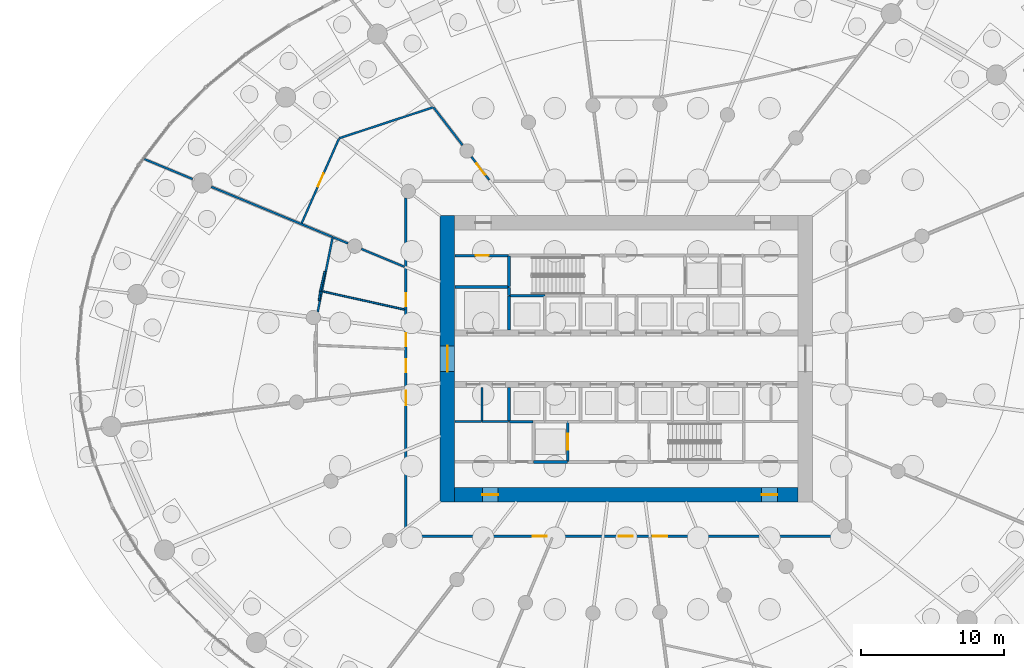
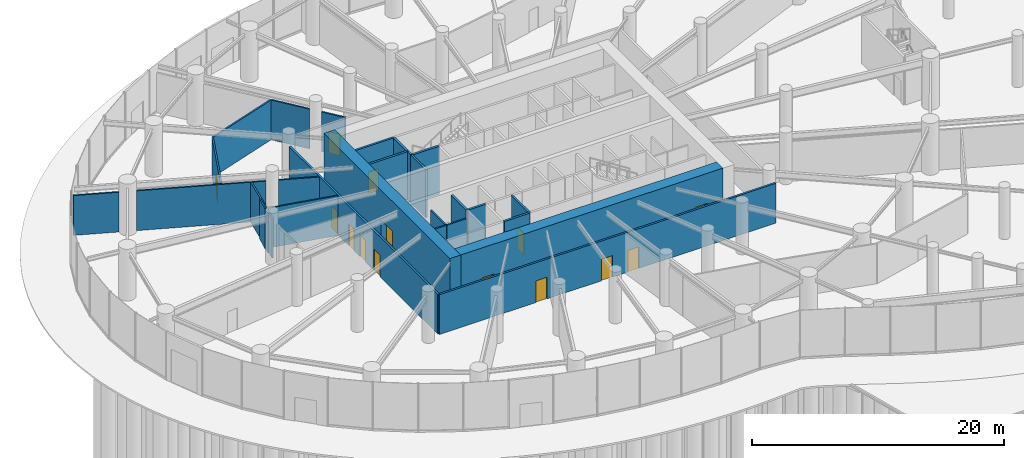
# One storey, part 18 of 28: 29 walls, 14 doors, 14 openings.
"""IFC4 building model written with IfcOpenShell, lengths in metres."""

from ifc_helpers import new_model, si_unit, direction, frame, frame_2d, origin, place, context, subcontext, project, spatial, rectangle, extrude, source, transform, mapped, material, layer, layer_set, type_object, element, fill, save


model = new_model("IFC4")

# Units and contexts
model_context = context("Model", 3, precision=1e-05, world=origin(), true_north=direction((0.0, 1.0)))
body_context = subcontext(model_context, "Body", "Model", "MODEL_VIEW")
ifc_project = project(units=[si_unit("LENGTHUNIT", "METRE"), si_unit("AREAUNIT", "SQUARE_METRE"), si_unit("VOLUMEUNIT", "CUBIC_METRE"), si_unit("PLANEANGLEUNIT", "RADIAN"), si_unit("MASSUNIT", "GRAM", prefix="KILO")], contexts=[model_context])

# Site, building, storey
site_placement = place(None, origin())
site = spatial("IfcSite", under=ifc_project, at=site_placement, CompositionType="ELEMENT")
building_placement = place(site_placement, origin())
building = spatial("IfcBuilding", under=site, at=building_placement, Name="Spindrift Exchange Tower", CompositionType="ELEMENT")
storey_placement = place(building_placement, origin())
storey = spatial("IfcBuildingStorey", under=building, at=storey_placement, Name="L00", CompositionType="ELEMENT", Elevation=0.0)

# Wall, opening, door
ifc_material_1 = material(Name="Concrete 80 MPa", Category="concrete")
ifc_layer_1 = layer(ifc_material_1, 1.0)
ifc_layer_set_1 = layer_set([ifc_layer_1], Name="RC Core Wall 1000 Concrete 80 MPa")
wall_type_1 = type_object("IfcWallType", Name="RC Core Wall 1000 Concrete 80 MPa", PredefinedType="SHEAR", material=ifc_layer_set_1)
wall_1_placement = place(storey_placement, frame((39.5, 58.0, -0.35009765625), z_axis=(0.0, 0.0, 1.0), x_axis=(0.0, -1.0, 0.0)))
wall_1 = element("IfcWall", 1, at=wall_1_placement, inside=storey, type_object=wall_type_1, Name="Core wall W L00", PredefinedType="SHEAR", context=body_context, shape_type="SweptSolid", body=[
    extrude(rectangle(XDim=20.0, YDim=1.0, at=frame_2d((10.0, 0.0))), origin(), (0.0, 0.0, 1.0), 5.35009765625),
])
opening_1_placement = place(wall_1_placement, frame((9.10009765625, 0.0, 0.35009765625)))
opening_1 = element("IfcOpeningElement", 2, at=opening_1_placement, cuts=wall_1, Name="Opening L00-D1", PredefinedType="OPENING", context=body_context, shape_type="SweptSolid", body=[
    extrude(rectangle(XDim=1.800048828125, YDim=2.10009765625, at=frame_2d((0.89990234375, 1.050048828125))), frame((0.0, 0.510009765625, 0.0), z_axis=(0.0, -1.0, 0.0), x_axis=(1.0, 0.0, 0.0)), (0.0, 0.0, 1.0), 1.02001953125),
])
ifc_material_2 = material(Name="Timber-core fire door", Category="wood")
door_type_1 = type_object("IfcDoorType", Name="DR-LOBBY-1800", OperationType="NOTDEFINED", PredefinedType="DOOR", material=ifc_material_2)
shared_shape_1 = source(origin(), body_context, "Body", "SweptSolid", [
    extrude(rectangle(XDim=1.800048828125, YDim=2.10009765625, at=frame_2d((0.89990234375, 1.050048828125))), frame((0.0, 0.02490234375, 0.0), z_axis=(0.0, -1.0, 0.0), x_axis=(1.0, 0.0, 0.0)), (0.0, 0.0, 1.0), 0.050048828125),
])
door_1_placement = place(opening_1_placement, origin())
door_1 = element("IfcDoor", 3, at=door_1_placement, inside=storey, type_object=door_type_1, Name="L00 Lobby door 1", OperationType="SINGLE_SWING_RIGHT", OverallHeight=2.10009765625, OverallWidth=1.800048828125, PredefinedType="DOOR", context=body_context, shape_type="MappedRepresentation", body=[
    mapped(shared_shape_1, transform((0.0, 0.0, 0.0), scale=1.0)),
])
fill(opening_1, door_1)

# Wall, openings, doors
wall_2_placement = place(storey_placement, frame((40.0, 38.5, -0.35009765625), z_axis=(0.0, 0.0, 1.0), x_axis=(1.0, 0.0, 0.0)))
wall_2 = element("IfcWall", 4, at=wall_2_placement, inside=storey, type_object=wall_type_1, Name="Core wall S L00", PredefinedType="SHEAR", context=body_context, shape_type="SweptSolid", body=[
    extrude(rectangle(XDim=24.0, YDim=1.0, at=frame_2d((12.0, 0.0))), origin(), (0.0, 0.0, 1.0), 5.35009765625),
])
opening_2_placement = place(wall_2_placement, frame((21.449951171875, 0.0, 0.35009765625)))
opening_2 = element("IfcOpeningElement", 5, at=opening_2_placement, cuts=wall_2, Name="Opening L00-D28", PredefinedType="OPENING", context=body_context, shape_type="SweptSolid", body=[
    extrude(rectangle(XDim=1.10009765625, YDim=2.10009765625, at=frame_2d((0.550048828125, 1.050048828125))), frame((0.0, 0.510009765625, 0.0), z_axis=(0.0, -1.0, 0.0), x_axis=(1.0, 0.0, 0.0)), (0.0, 0.0, 1.0), 1.02001953125),
])
opening_3_placement = place(wall_2_placement, frame((1.949951171875, 0.0, 0.35009765625)))
opening_3 = element("IfcOpeningElement", 6, at=opening_3_placement, cuts=wall_2, Name="Opening L00-D29", PredefinedType="OPENING", context=body_context, shape_type="SweptSolid", body=[
    extrude(rectangle(XDim=1.10009765625, YDim=2.10009765625, at=frame_2d((0.550048828125, 1.050048828125))), frame((0.0, 0.510009765625, 0.0), z_axis=(0.0, -1.0, 0.0), x_axis=(1.0, 0.0, 0.0)), (0.0, 0.0, 1.0), 1.02001953125),
])
ifc_material_3 = material(Name="Steel fire door", Category="steel")
door_type_2 = type_object("IfcDoorType", Name="DR-STAIR-1100", OperationType="NOTDEFINED", PredefinedType="DOOR", material=ifc_material_3)
shared_shape_2 = source(origin(), body_context, "Body", "SweptSolid", [
    extrude(rectangle(XDim=1.10009765625, YDim=2.10009765625, at=frame_2d((0.550048828125, 1.050048828125))), frame((0.0, 0.02490234375, 0.0), z_axis=(0.0, -1.0, 0.0), x_axis=(1.0, 0.0, 0.0)), (0.0, 0.0, 1.0), 0.050048828125),
])
door_2_placement = place(opening_2_placement, origin())
door_2 = element("IfcDoor", 7, at=door_2_placement, inside=storey, type_object=door_type_2, Name="L00 Stair door 28", OperationType="SINGLE_SWING_LEFT", OverallHeight=2.10009765625, OverallWidth=1.10009765625, PredefinedType="DOOR", context=body_context, shape_type="MappedRepresentation", body=[
    mapped(shared_shape_2, transform((0.0, 0.0, 0.0), scale=1.0)),
])
fill(opening_2, door_2)
door_3_placement = place(opening_3_placement, origin())
door_3 = element("IfcDoor", 8, at=door_3_placement, inside=storey, type_object=door_type_2, Name="L00 Stair door 29", OperationType="SINGLE_SWING_RIGHT", OverallHeight=2.10009765625, OverallWidth=1.10009765625, PredefinedType="DOOR", context=body_context, shape_type="MappedRepresentation", body=[
    mapped(shared_shape_2, transform((0.0, 0.0, 0.0), scale=1.0)),
])
fill(opening_3, door_3)

ifc_material_4 = material(Name="Fire-rated plasterboard partition", Category="gypsum")
ifc_layer_2 = layer(ifc_material_4, 0.179931640625)
ifc_layer_set_2 = layer_set([ifc_layer_2], Name="W-CORR-180")
wall_type_2 = type_object("IfcWallType", Name="W-CORR-180", PredefinedType="PARTITIONING", material=ifc_layer_set_2)
wall_3_placement = place(storey_placement, frame((36.60009765625, 35.6298828125, 0.0), z_axis=(0.0, 0.0, 1.0), x_axis=(0.0, 1.0, 0.0)))
wall_3 = element("IfcWall", 9, at=wall_3_placement, inside=storey, type_object=wall_type_2, Name="L00 Partition wall 64", PredefinedType="PARTITIONING", context=body_context, shape_type="SweptSolid", body=[
    extrude(rectangle(XDim=23.58251953125, YDim=0.179931640625, at=frame_2d((11.791259765625, 0.0))), origin(), (0.0, 0.0, 1.0), 3.85009765625),
])
opening_4_placement = place(wall_3_placement, frame((16.032470703125, 0.0, 0.0)))
opening_4 = element("IfcOpeningElement", 10, at=opening_4_placement, cuts=wall_3, Name="Opening L00-D36", PredefinedType="OPENING", context=body_context, shape_type="SweptSolid", body=[
    extrude(rectangle(XDim=0.89990234375, YDim=2.10009765625, at=frame_2d((0.449951171875, 1.050048828125))), frame((0.0, 0.099853515625, 0.0), z_axis=(0.0, -1.0, 0.0), x_axis=(1.0, 0.0, 0.0)), (0.0, 0.0, 1.0), 0.199951171875),
])
opening_5_placement = place(wall_3_placement, frame((13.232421875, 0.0, 0.0)))
opening_5 = element("IfcOpeningElement", 11, at=opening_5_placement, cuts=wall_3, Name="Opening L00-D37", PredefinedType="OPENING", context=body_context, shape_type="SweptSolid", body=[
    extrude(rectangle(XDim=0.89990234375, YDim=2.10009765625, at=frame_2d((0.449951171875, 1.050048828125))), frame((0.0, 0.099853515625, 0.0), z_axis=(0.0, -1.0, 0.0), x_axis=(1.0, 0.0, 0.0)), (0.0, 0.0, 1.0), 0.199951171875),
])
opening_6_placement = place(wall_3_placement, frame((11.4326171875, 0.0, 0.0)))
opening_6 = element("IfcOpeningElement", 12, at=opening_6_placement, cuts=wall_3, Name="Opening L00-D38", PredefinedType="OPENING", context=body_context, shape_type="SweptSolid", body=[
    extrude(rectangle(XDim=0.89990234375, YDim=2.10009765625, at=frame_2d((0.449951171875, 1.050048828125))), frame((0.0, 0.099853515625, 0.0), z_axis=(0.0, -1.0, 0.0), x_axis=(1.0, 0.0, 0.0)), (0.0, 0.0, 1.0), 0.199951171875),
])
opening_7_placement = place(wall_3_placement, frame((9.132568359375, 0.0, 0.0)))
opening_7 = element("IfcOpeningElement", 13, at=opening_7_placement, cuts=wall_3, Name="Opening L00-D39", PredefinedType="OPENING", context=body_context, shape_type="SweptSolid", body=[
    extrude(rectangle(XDim=1.0, YDim=2.10009765625, at=frame_2d((0.5, 1.050048828125))), frame((0.0, 0.099853515625, 0.0), z_axis=(0.0, -1.0, 0.0), x_axis=(1.0, 0.0, 0.0)), (0.0, 0.0, 1.0), 0.199951171875),
])
door_type_3 = type_object("IfcDoorType", Name="DR-ROOM-1000", OperationType="NOTDEFINED", PredefinedType="DOOR", material=ifc_material_2)
shared_shape_3 = source(origin(), body_context, "Body", "SweptSolid", [
    extrude(rectangle(XDim=1.0, YDim=2.10009765625, at=frame_2d((0.5, 1.050048828125))), frame((0.0, 0.02490234375, 0.0), z_axis=(0.0, -1.0, 0.0), x_axis=(1.0, 0.0, 0.0)), (0.0, 0.0, 1.0), 0.050048828125),
])
door_4_placement = place(opening_7_placement, origin())
door_4 = element("IfcDoor", 14, at=door_4_placement, inside=storey, type_object=door_type_3, Name="L00 Door 39", OperationType="SINGLE_SWING_RIGHT", OverallHeight=2.10009765625, OverallWidth=1.0, PredefinedType="DOOR", context=body_context, shape_type="MappedRepresentation", body=[
    mapped(shared_shape_3, transform((0.0, 0.0, 0.0), scale=1.0)),
])
fill(opening_7, door_4)
ifc_material_5 = material(Name="Laminate washroom door", Category="wood")
door_type_4 = type_object("IfcDoorType", Name="DR-WC-900", OperationType="NOTDEFINED", PredefinedType="DOOR", material=ifc_material_5)
shared_shape_4 = source(origin(), body_context, "Body", "SweptSolid", [
    extrude(rectangle(XDim=0.89990234375, YDim=2.10009765625, at=frame_2d((0.449951171875, 1.050048828125))), frame((0.0, 0.02490234375, 0.0), z_axis=(0.0, -1.0, 0.0), x_axis=(1.0, 0.0, 0.0)), (0.0, 0.0, 1.0), 0.050048828125),
])
door_5_placement = place(opening_4_placement, origin())
door_5 = element("IfcDoor", 15, at=door_5_placement, inside=storey, type_object=door_type_4, Name="L00 WC door 36", OperationType="SINGLE_SWING_LEFT", OverallHeight=2.10009765625, OverallWidth=0.89990234375, PredefinedType="DOOR", context=body_context, shape_type="MappedRepresentation", body=[
    mapped(shared_shape_4, transform((0.0, 0.0, 0.0), scale=1.0)),
])
fill(opening_4, door_5)
door_6_placement = place(opening_5_placement, origin())
door_6 = element("IfcDoor", 16, at=door_6_placement, inside=storey, type_object=door_type_4, Name="L00 WC door 37", OperationType="SINGLE_SWING_RIGHT", OverallHeight=2.10009765625, OverallWidth=0.89990234375, PredefinedType="DOOR", context=body_context, shape_type="MappedRepresentation", body=[
    mapped(shared_shape_4, transform((0.0, 0.0, 0.0), scale=1.0)),
])
fill(opening_5, door_6)
door_7_placement = place(opening_6_placement, origin())
door_7 = element("IfcDoor", 17, at=door_7_placement, inside=storey, type_object=door_type_4, Name="L00 WC door 38", OperationType="SINGLE_SWING_LEFT", OverallHeight=2.10009765625, OverallWidth=0.89990234375, PredefinedType="DOOR", context=body_context, shape_type="MappedRepresentation", body=[
    mapped(shared_shape_4, transform((0.0, 0.0, 0.0), scale=1.0)),
])
fill(opening_6, door_7)

# Wall, opening, door
wall_4_placement = place(storey_placement, frame((43.77001953125, 55.199951171875, 0.0), z_axis=(0.0, 0.0, 1.0), x_axis=(-1.0, 0.0, 0.0)))
wall_4 = element("IfcWall", 18, at=wall_4_placement, inside=storey, type_object=wall_type_2, Name="L00 Partition wall 66", PredefinedType="PARTITIONING", context=body_context, shape_type="SweptSolid", body=[
    extrude(rectangle(XDim=3.75, YDim=0.179931640625, at=frame_2d((1.875, 0.0))), origin(), (0.0, 0.0, 1.0), 4.64990234375),
])
opening_8_placement = place(wall_4_placement, frame((1.39990234375, 0.0, 0.0)))
opening_8 = element("IfcOpeningElement", 19, at=opening_8_placement, cuts=wall_4, Name="Opening L00-D47", PredefinedType="OPENING", context=body_context, shape_type="SweptSolid", body=[
    extrude(rectangle(XDim=0.89990234375, YDim=2.10009765625, at=frame_2d((0.449951171875, 1.050048828125))), frame((0.0, 0.099853515625, 0.0), z_axis=(0.0, -1.0, 0.0), x_axis=(1.0, 0.0, 0.0)), (0.0, 0.0, 1.0), 0.199951171875),
])
ifc_material_6 = material(Name="Steel access door", Category="steel")
door_type_5 = type_object("IfcDoorType", Name="DR-RISER-900", OperationType="NOTDEFINED", PredefinedType="DOOR", material=ifc_material_6)
shared_shape_5 = source(origin(), body_context, "Body", "SweptSolid", [
    extrude(rectangle(XDim=0.89990234375, YDim=2.10009765625, at=frame_2d((0.449951171875, 1.050048828125))), frame((0.0, 0.02490234375, 0.0), z_axis=(0.0, -1.0, 0.0), x_axis=(1.0, 0.0, 0.0)), (0.0, 0.0, 1.0), 0.050048828125),
])
door_8_placement = place(opening_8_placement, origin())
door_8 = element("IfcDoor", 20, at=door_8_placement, inside=storey, type_object=door_type_5, Name="L00 Riser door 47", OperationType="SINGLE_SWING_RIGHT", OverallHeight=2.10009765625, OverallWidth=0.89990234375, PredefinedType="DOOR", context=body_context, shape_type="MappedRepresentation", body=[
    mapped(shared_shape_5, transform((0.0, 0.0, 0.0), scale=1.0)),
])
fill(opening_8, door_8)

# Walls
ifc_layer_3 = layer(ifc_material_4, 0.139892578125)
ifc_layer_set_3 = layer_set([ifc_layer_3], Name="W-PART-140")
wall_type_3 = type_object("IfcWallType", Name="W-PART-140", PredefinedType="PARTITIONING", material=ifc_layer_set_3)
wall_5_placement = place(storey_placement, frame((32.560791015625, 56.052001953125, 0.0), z_axis=(0.0, 0.0, 1.0), x_axis=(-0.923916959191, 0.382593063867, 0.0)))
element("IfcWall", 21, at=wall_5_placement, inside=storey, type_object=wall_type_3, Name="L00 Partition wall 107", PredefinedType="PARTITIONING", context=body_context, shape_type="SweptSolid", body=[
    extrude(rectangle(XDim=1.132080078125, YDim=0.139892578125, at=frame_2d((0.56591796875, 0.0))), origin(), (0.0, 0.0, 1.0), 3.85009765625),
])
wall_6_placement = place(storey_placement, frame((36.510009765625, 54.416259765625, 0.0), z_axis=(0.0, 0.0, 1.0), x_axis=(-0.923911109142, 0.382607190737, 0.0)))
element("IfcWall", 22, at=wall_6_placement, inside=storey, type_object=wall_type_3, Name="L00 Partition wall 108", PredefinedType="PARTITIONING", context=body_context, shape_type="SweptSolid", body=[
    extrude(rectangle(XDim=3.264404296875, YDim=0.139892578125, at=frame_2d((1.63232421875, 0.0))), origin(), (0.0, 0.0, 1.0), 3.85009765625),
])
wall_7_placement = place(storey_placement, frame((40.55908203125, 62.91015625, 0.0), z_axis=(0.0, 0.0, 1.0), x_axis=(-0.608771391178, 0.79334569595, 0.0)))
element("IfcWall", 23, at=wall_7_placement, inside=storey, type_object=wall_type_3, Name="L00 Partition wall 110", PredefinedType="PARTITIONING", context=body_context, shape_type="SweptSolid", body=[
    extrude(rectangle(XDim=3.3173828125, YDim=0.139892578125, at=frame_2d((1.65869140625, 0.0))), origin(), (0.0, 0.0, 1.0), 3.85009765625),
])
wall_8_placement = place(storey_placement, frame((41.89990234375, 43.60009765625, 0.0), z_axis=(0.0, 0.0, 1.0), x_axis=(0.0, 1.0, 0.0)))
element("IfcWall", 24, at=wall_8_placement, inside=storey, type_object=wall_type_3, Name="L00 Partition wall 116", PredefinedType="PARTITIONING", context=body_context, shape_type="SweptSolid", body=[
    extrude(rectangle(XDim=2.389892578125, YDim=0.139892578125, at=frame_2d((1.19482421875, 0.0))), origin(), (0.0, 0.0, 1.0), 3.85009765625),
])

# Wall, opening, door
wall_9_placement = place(storey_placement, frame((42.416015625, 60.489990234375, 0.0), z_axis=(0.0, 0.0, 1.0), x_axis=(-0.608727763541, 0.793379171578, 0.0)))
wall_9 = element("IfcWall", 25, at=wall_9_placement, inside=storey, type_object=wall_type_3, Name="L00 Partition wall 118", PredefinedType="PARTITIONING", context=body_context, shape_type="SweptSolid", body=[
    extrude(rectangle(XDim=2.04150390625, YDim=0.139892578125, at=frame_2d((1.020751953125, 0.0))), origin(), (0.0, 0.0, 1.0), 3.85009765625),
])
opening_9_placement = place(wall_9_placement, frame((0.449951171875, 0.0, 0.0)))
opening_9 = element("IfcOpeningElement", 26, at=opening_9_placement, cuts=wall_9, Name="Opening L00-D46", PredefinedType="OPENING", context=body_context, shape_type="SweptSolid", body=[
    extrude(rectangle(XDim=1.0, YDim=2.10009765625, at=frame_2d((0.5, 1.050048828125))), frame((0.0, 0.079833984375, 0.0), z_axis=(0.0, -1.0, 0.0), x_axis=(1.0, 0.0, 0.0)), (0.0, 0.0, 1.0), 0.159912109375),
])
door_type_6 = type_object("IfcDoorType", Name="DR-CTRL-1000", OperationType="NOTDEFINED", PredefinedType="DOOR", material=ifc_material_3)
shared_shape_6 = source(origin(), body_context, "Body", "SweptSolid", [
    extrude(rectangle(XDim=1.0, YDim=2.10009765625, at=frame_2d((0.5, 1.050048828125))), frame((0.0, 0.02490234375, 0.0), z_axis=(0.0, -1.0, 0.0), x_axis=(1.0, 0.0, 0.0)), (0.0, 0.0, 1.0), 0.050048828125),
])
door_9_placement = place(opening_9_placement, origin())
door_9 = element("IfcDoor", 27, at=door_9_placement, inside=storey, type_object=door_type_6, Name="L00 Lobby door 46", OperationType="SINGLE_SWING_LEFT", OverallHeight=2.10009765625, OverallWidth=1.0, PredefinedType="DOOR", context=body_context, shape_type="MappedRepresentation", body=[
    mapped(shared_shape_6, transform((0.0, 0.0, 0.0), scale=1.0)),
])
fill(opening_9, door_9)

# Walls
wall_10_placement = place(storey_placement, frame((43.77001953125, 43.60009765625, 0.0), z_axis=(0.0, 0.0, 1.0), x_axis=(-1.0, 0.0, 0.0)))
element("IfcWall", 28, at=wall_10_placement, inside=storey, type_object=wall_type_3, Name="L00 Partition wall 119", PredefinedType="PARTITIONING", context=body_context, shape_type="SweptSolid", body=[
    extrude(rectangle(XDim=1.840087890625, YDim=0.139892578125, at=frame_2d((0.919921875, 0.0))), origin(), (0.0, 0.0, 1.0), 3.85009765625),
])
wall_11_placement = place(storey_placement, frame((41.8701171875, 43.60009765625, 0.0), z_axis=(0.0, 0.0, 1.0), x_axis=(-1.0, 0.0, 0.0)))
element("IfcWall", 29, at=wall_11_placement, inside=storey, type_object=wall_type_3, Name="L00 Partition wall 121", PredefinedType="PARTITIONING", context=body_context, shape_type="SweptSolid", body=[
    extrude(rectangle(XDim=1.85009765625, YDim=0.139892578125, at=frame_2d((0.925048828125, 0.0))), origin(), (0.0, 0.0, 1.0), 3.85009765625),
])
ifc_layer_4 = layer(ifc_material_4, 0.1201171875)
ifc_layer_set_4 = layer_set([ifc_layer_4], Name="W-PLANT-120")
wall_type_4 = type_object("IfcWallType", Name="W-PLANT-120", PredefinedType="PARTITIONING", material=ifc_layer_set_4)
wall_12_placement = place(storey_placement, frame((30.93603515625, 54.094482421875, 0.0), z_axis=(0.0, 0.0, 1.0), x_axis=(-0.223615873723, -0.974677352265, 0.0)))
element("IfcWall", 30, at=wall_12_placement, inside=storey, type_object=wall_type_4, Name="L00 Partition wall 135", PredefinedType="PARTITIONING", context=body_context, shape_type="SweptSolid", body=[
    extrude(rectangle(XDim=1.390869140625, YDim=0.1201171875, at=frame_2d((0.6953125, 0.0))), origin(), (0.0, 0.0, 1.0), 3.85009765625),
])
wall_13_placement = place(storey_placement, frame((30.620849609375, 52.708984375, 0.0), z_axis=(0.0, 0.0, 1.0), x_axis=(-0.139396840512, -0.990236598422, 0.0)))
element("IfcWall", 31, at=wall_13_placement, inside=storey, type_object=wall_type_4, Name="L00 Partition wall 138", PredefinedType="PARTITIONING", context=body_context, shape_type="SweptSolid", body=[
    extrude(rectangle(XDim=0.658447265625, YDim=0.1201171875, at=frame_2d((0.3291015625, 0.0))), origin(), (0.0, 0.0, 1.0), 3.85009765625),
])
ifc_layer_5 = layer(ifc_material_4, 0.139892578125)
ifc_layer_set_5 = layer_set([ifc_layer_5], Name="W-PLANT-140")
wall_type_5 = type_object("IfcWallType", Name="W-PLANT-140", PredefinedType="PARTITIONING", material=ifc_layer_set_5)
wall_14_placement = place(storey_placement, frame((23.0068359375, 60.009521484375, 0.0), z_axis=(0.0, 0.0, 1.0), x_axis=(0.923871278923, -0.382703357682, 0.0)))
element("IfcWall", 32, at=wall_14_placement, inside=storey, type_object=wall_type_5, Name="L00 Partition wall 76", PredefinedType="PARTITIONING", context=body_context, shape_type="SweptSolid", body=[
    extrude(rectangle(XDim=9.17919921875, YDim=0.139892578125, at=frame_2d((4.589599609375, 0.0))), origin(), (0.0, 0.0, 1.0), 3.85009765625),
])
wall_15_placement = place(storey_placement, frame((38.521484375, 65.565673828125, 0.0), z_axis=(0.0, 0.0, 1.0), x_axis=(-0.949758707301, -0.31298306329, 0.0)))
element("IfcWall", 33, at=wall_15_placement, inside=storey, type_object=wall_type_5, Name="L00 Partition wall 85", PredefinedType="PARTITIONING", context=body_context, shape_type="SweptSolid", body=[
    extrude(rectangle(XDim=6.933837890625, YDim=0.139892578125, at=frame_2d((3.466796875, 0.0))), origin(), (0.0, 0.0, 1.0), 3.85009765625),
])

# Wall, opening, door
wall_16_placement = place(storey_placement, frame((29.32421875, 57.468505859375, 0.0), z_axis=(0.0, 0.0, 1.0), x_axis=(0.403258856744, 0.915085949219, 0.0)))
wall_16 = element("IfcWall", 34, at=wall_16_placement, inside=storey, type_object=wall_type_5, Name="L00 Partition wall 86", PredefinedType="PARTITIONING", context=body_context, shape_type="SweptSolid", body=[
    extrude(rectangle(XDim=6.447021484375, YDim=0.139892578125, at=frame_2d((3.2236328125, 0.0))), origin(), (0.0, 0.0, 1.0), 3.85009765625),
])
opening_10_placement = place(wall_16_placement, frame((2.797119140625, 0.0, 0.0)))
opening_10 = element("IfcOpeningElement", 35, at=opening_10_placement, cuts=wall_16, Name="Opening L00-D35", PredefinedType="OPENING", context=body_context, shape_type="SweptSolid", body=[
    extrude(rectangle(XDim=1.0, YDim=2.10009765625, at=frame_2d((0.5, 1.050048828125))), frame((0.0, 0.079833984375, 0.0), z_axis=(0.0, -1.0, 0.0), x_axis=(1.0, 0.0, 0.0)), (0.0, 0.0, 1.0), 0.159912109375),
])
door_10_placement = place(opening_10_placement, origin())
door_10 = element("IfcDoor", 36, at=door_10_placement, inside=storey, type_object=door_type_6, Name="L00 Door 35", OperationType="SINGLE_SWING_RIGHT", OverallHeight=2.10009765625, OverallWidth=1.0, PredefinedType="DOOR", context=body_context, shape_type="MappedRepresentation", body=[
    mapped(shared_shape_6, transform((0.0, 0.0, 0.0), scale=1.0)),
])
fill(opening_10, door_10)

# Walls
wall_17_placement = place(storey_placement, frame((31.481201171875, 56.46728515625, 0.0), z_axis=(0.0, 0.0, 1.0), x_axis=(-0.195841094628, -0.98063564368, 0.0)))
element("IfcWall", 37, at=wall_17_placement, inside=storey, type_object=wall_type_5, Name="L00 Partition wall 91", PredefinedType="PARTITIONING", context=body_context, shape_type="SweptSolid", body=[
    extrude(rectangle(XDim=5.2919921875, YDim=0.139892578125, at=frame_2d((2.64599609375, 0.0))), origin(), (0.0, 0.0, 1.0), 3.85009765625),
])
wall_18_placement = place(storey_placement, frame((21.7041015625, 60.549072265625, 0.0), z_axis=(0.0, 0.0, 1.0), x_axis=(-0.923890168451, 0.382657753926, 0.0)))
element("IfcWall", 38, at=wall_18_placement, inside=storey, type_object=wall_type_5, Name="L00 Partition wall 106", PredefinedType="PARTITIONING", context=body_context, shape_type="SweptSolid", body=[
    extrude(rectangle(XDim=3.64111328125, YDim=0.139892578125, at=frame_2d((1.820556640625, 0.0))), origin(), (0.0, 0.0, 1.0), 3.85009765625),
])

# Wall, openings, doors
ifc_layer_6 = layer(ifc_material_4, 0.179931640625)
ifc_layer_set_6 = layer_set([ifc_layer_6], Name="W-PLANT-180")
wall_type_6 = type_object("IfcWallType", Name="W-PLANT-180", PredefinedType="PARTITIONING", material=ifc_layer_set_6)
wall_19_placement = place(storey_placement, frame((67.39990234375, 35.60009765625, 0.0), z_axis=(0.0, 0.0, 1.0), x_axis=(-1.0, 0.0, 0.0)))
wall_19 = element("IfcWall", 39, at=wall_19_placement, inside=storey, type_object=wall_type_6, Name="L00 Partition wall 61", PredefinedType="PARTITIONING", context=body_context, shape_type="SweptSolid", body=[
    extrude(rectangle(XDim=30.7998046875, YDim=0.179931640625, at=frame_2d((15.39990234375, 0.0))), origin(), (0.0, 0.0, 1.0), 3.85009765625),
])
opening_11_placement = place(wall_19_placement, frame((20.949951171875, 0.0, 0.0)))
opening_11 = element("IfcOpeningElement", 40, at=opening_11_placement, cuts=wall_19, Name="Opening L00-D41", PredefinedType="OPENING", context=body_context, shape_type="SweptSolid", body=[
    extrude(rectangle(XDim=1.0, YDim=2.10009765625, at=frame_2d((0.5, 1.050048828125))), frame((0.0, 0.099853515625, 0.0), z_axis=(0.0, -1.0, 0.0), x_axis=(1.0, 0.0, 0.0)), (0.0, 0.0, 1.0), 0.199951171875),
])
opening_12_placement = place(wall_19_placement, frame((14.949951171875, 0.0, 0.0)))
opening_12 = element("IfcOpeningElement", 41, at=opening_12_placement, cuts=wall_19, Name="Opening L00-D42", PredefinedType="OPENING", context=body_context, shape_type="SweptSolid", body=[
    extrude(rectangle(XDim=1.0, YDim=2.10009765625, at=frame_2d((0.5, 1.050048828125))), frame((0.0, 0.099853515625, 0.0), z_axis=(0.0, -1.0, 0.0), x_axis=(1.0, 0.0, 0.0)), (0.0, 0.0, 1.0), 0.199951171875),
])
opening_13_placement = place(wall_19_placement, frame((12.550048828125, 0.0, 0.0)))
opening_13 = element("IfcOpeningElement", 42, at=opening_13_placement, cuts=wall_19, Name="Opening L00-D43", PredefinedType="OPENING", context=body_context, shape_type="SweptSolid", body=[
    extrude(rectangle(XDim=1.0, YDim=2.10009765625, at=frame_2d((0.5, 1.050048828125))), frame((0.0, 0.099853515625, 0.0), z_axis=(0.0, -1.0, 0.0), x_axis=(1.0, 0.0, 0.0)), (0.0, 0.0, 1.0), 0.199951171875),
])
door_11_placement = place(opening_11_placement, origin())
door_11 = element("IfcDoor", 43, at=door_11_placement, inside=storey, type_object=door_type_3, Name="L00 Door 41", OperationType="SINGLE_SWING_RIGHT", OverallHeight=2.10009765625, OverallWidth=1.0, PredefinedType="DOOR", context=body_context, shape_type="MappedRepresentation", body=[
    mapped(shared_shape_3, transform((0.0, 0.0, 0.0), scale=1.0)),
])
fill(opening_11, door_11)
door_12_placement = place(opening_12_placement, origin())
door_12 = element("IfcDoor", 44, at=door_12_placement, inside=storey, type_object=door_type_3, Name="L00 Door 42", OperationType="SINGLE_SWING_LEFT", OverallHeight=2.10009765625, OverallWidth=1.0, PredefinedType="DOOR", context=body_context, shape_type="MappedRepresentation", body=[
    mapped(shared_shape_3, transform((0.0, 0.0, 0.0), scale=1.0)),
])
fill(opening_12, door_12)
door_13_placement = place(opening_13_placement, origin())
door_13 = element("IfcDoor", 45, at=door_13_placement, inside=storey, type_object=door_type_3, Name="L00 Door 43", OperationType="SINGLE_SWING_RIGHT", OverallHeight=2.10009765625, OverallWidth=1.0, PredefinedType="DOOR", context=body_context, shape_type="MappedRepresentation", body=[
    mapped(shared_shape_3, transform((0.0, 0.0, 0.0), scale=1.0)),
])
fill(opening_13, door_13)

# Wall, opening, door
ifc_material_7 = material(Name="Concrete 40 MPa", Category="concrete")
ifc_layer_7 = layer(ifc_material_7, 0.199951171875)
ifc_layer_set_7 = layer_set([ifc_layer_7], Name="W-SHAFT-200")
wall_type_7 = type_object("IfcWallType", Name="W-SHAFT-200", PredefinedType="SOLIDWALL", material=ifc_layer_set_7)
wall_20_placement = place(storey_placement, frame((47.89990234375, 40.830078125, 0.0), z_axis=(0.0, 0.0, 1.0), x_axis=(0.0, 1.0, 0.0)))
wall_20 = element("IfcWall", 46, at=wall_20_placement, inside=storey, type_object=wall_type_7, Name="L00 Shaft wall 10", PredefinedType="SOLIDWALL", context=body_context, shape_type="SweptSolid", body=[
    extrude(rectangle(XDim=2.77001953125, YDim=0.199951171875, at=frame_2d((1.385009765625, 0.0))), origin(), (0.0, 0.0, 1.0), 4.64990234375),
])
opening_14_placement = place(wall_20_placement, frame((0.820068359375, 0.0, 0.0)))
opening_14 = element("IfcOpeningElement", 47, at=opening_14_placement, cuts=wall_20, Name="Opening L00-D16", PredefinedType="OPENING", context=body_context, shape_type="SweptSolid", body=[
    extrude(rectangle(XDim=1.10009765625, YDim=2.10009765625, at=frame_2d((0.550048828125, 1.050048828125))), frame((0.0, 0.10986328125, 0.0), z_axis=(0.0, -1.0, 0.0), x_axis=(1.0, 0.0, 0.0)), (0.0, 0.0, 1.0), 0.219970703125),
])
ifc_material_8 = material(Name="Stainless steel landing door", Category="steel")
door_type_7 = type_object("IfcDoorType", Name="DR-LANDING-1100-SL", OperationType="DOUBLE_DOOR_SLIDING", PredefinedType="USERDEFINED", material=ifc_material_8)
shared_shape_7 = source(origin(), body_context, "Body", "SweptSolid", [
    extrude(rectangle(XDim=1.10009765625, YDim=2.10009765625, at=frame_2d((0.550048828125, 1.050048828125))), frame((0.0, 0.02490234375, 0.0), z_axis=(0.0, -1.0, 0.0), x_axis=(1.0, 0.0, 0.0)), (0.0, 0.0, 1.0), 0.050048828125),
])
door_14_placement = place(opening_14_placement, origin())
door_14 = element("IfcDoor", 48, at=door_14_placement, inside=storey, type_object=door_type_7, Name="L00 Lift landing door 16", ObjectType="LANDING DOOR", OperationType="DOUBLE_DOOR_SLIDING", OverallHeight=2.10009765625, OverallWidth=1.10009765625, PredefinedType="USERDEFINED", context=body_context, shape_type="MappedRepresentation", body=[
    mapped(shared_shape_7, transform((0.0, 0.0, 0.0), scale=1.0)),
])
fill(opening_14, door_14)

# Walls
wall_21_placement = place(storey_placement, frame((45.530029296875, 40.800048828125, 0.0), z_axis=(0.0, 0.0, 1.0), x_axis=(1.0, 0.0, 0.0)))
element("IfcWall", 49, at=wall_21_placement, inside=storey, type_object=wall_type_7, Name="L00 Shaft wall 25", PredefinedType="SOLIDWALL", context=body_context, shape_type="SweptSolid", body=[
    extrude(rectangle(XDim=2.340087890625, YDim=0.199951171875, at=frame_2d((1.169921875, 0.0))), origin(), (0.0, 0.0, 1.0), 4.64990234375),
])
wall_22_placement = place(storey_placement, frame((43.800048828125, 45.989990234375, 0.0), z_axis=(0.0, 0.0, 1.0), x_axis=(0.0, -1.0, 0.0)))
element("IfcWall", 50, at=wall_22_placement, inside=storey, type_object=wall_type_7, Name="L00 Shaft wall 27", PredefinedType="SOLIDWALL", context=body_context, shape_type="SweptSolid", body=[
    extrude(rectangle(XDim=2.360107421875, YDim=0.199951171875, at=frame_2d((1.18017578125, 0.0))), origin(), (0.0, 0.0, 1.0), 4.64990234375),
])
wall_23_placement = place(storey_placement, frame((43.830078125, 43.60009765625, 0.0), z_axis=(0.0, 0.0, 1.0), x_axis=(1.0, 0.0, 0.0)))
element("IfcWall", 51, at=wall_23_placement, inside=storey, type_object=wall_type_7, Name="L00 Shaft wall 44", PredefinedType="SOLIDWALL", context=body_context, shape_type="SweptSolid", body=[
    extrude(rectangle(XDim=1.639892578125, YDim=0.199951171875, at=frame_2d((0.81982421875, 0.0))), origin(), (0.0, 0.0, 1.0), 4.64990234375),
])
ifc_layer_8 = layer(ifc_material_7, 0.199951171875)
ifc_layer_set_8 = layer_set([ifc_layer_8], Name="W-SHAFT-200-LB")
wall_type_8 = type_object("IfcWallType", Name="W-SHAFT-200-LB", PredefinedType="SOLIDWALL", material=ifc_layer_set_8)
wall_24_placement = place(storey_placement, frame((43.800048828125, 53.0, 0.0), z_axis=(0.0, 0.0, 1.0), x_axis=(-1.0, 0.0, 0.0)))
element("IfcWall", 52, at=wall_24_placement, inside=storey, type_object=wall_type_8, Name="L00 Shaft wall 7", PredefinedType="SOLIDWALL", context=body_context, shape_type="SweptSolid", body=[
    extrude(rectangle(XDim=3.780029296875, YDim=0.199951171875, at=frame_2d((1.89013671875, 0.0))), origin(), (0.0, 0.0, 1.0), 4.64990234375),
])
wall_25_placement = place(storey_placement, frame((46.300048828125, 52.39990234375, 0.0), z_axis=(0.0, 0.0, 1.0), x_axis=(-1.0, 0.0, 0.0)))
element("IfcWall", 53, at=wall_25_placement, inside=storey, type_object=wall_type_8, Name="L00 Shaft wall 19", PredefinedType="SOLIDWALL", context=body_context, shape_type="SweptSolid", body=[
    extrude(rectangle(XDim=2.5, YDim=0.199951171875, at=frame_2d((1.25, 0.0))), origin(), (0.0, 0.0, 1.0), 4.64990234375),
])
wall_26_placement = place(storey_placement, frame((43.800048828125, 52.3701171875, 0.0), z_axis=(0.0, 0.0, 1.0), x_axis=(0.0, -1.0, 0.0)))
element("IfcWall", 54, at=wall_26_placement, inside=storey, type_object=wall_type_8, Name="L00 Shaft wall 28", PredefinedType="SOLIDWALL", context=body_context, shape_type="SweptSolid", body=[
    extrude(rectangle(XDim=2.360107421875, YDim=0.199951171875, at=frame_2d((1.18017578125, 0.0))), origin(), (0.0, 0.0, 1.0), 4.64990234375),
])
wall_27_placement = place(storey_placement, frame((43.800048828125, 55.169921875, 0.0), z_axis=(0.0, 0.0, 1.0), x_axis=(0.0, -1.0, 0.0)))
element("IfcWall", 55, at=wall_27_placement, inside=storey, type_object=wall_type_8, Name="L00 Shaft wall 43", PredefinedType="SOLIDWALL", context=body_context, shape_type="SweptSolid", body=[
    extrude(rectangle(XDim=2.139892578125, YDim=0.199951171875, at=frame_2d((1.06982421875, 0.0))), origin(), (0.0, 0.0, 1.0), 4.64990234375),
])
wall_28_placement = place(storey_placement, frame((43.800048828125, 52.429931640625, 0.0), z_axis=(0.0, 0.0, 1.0), x_axis=(0.0, 1.0, 0.0)))
element("IfcWall", 56, at=wall_28_placement, inside=storey, type_object=wall_type_8, Name="L00 Shaft wall 60", PredefinedType="SOLIDWALL", context=body_context, shape_type="SweptSolid", body=[
    extrude(rectangle(XDim=0.5400390625, YDim=0.199951171875, at=frame_2d((0.27001953125, 0.0))), origin(), (0.0, 0.0, 1.0), 4.64990234375),
])
ifc_layer_9 = layer(ifc_material_4, 0.1201171875)
ifc_layer_set_9 = layer_set([ifc_layer_9], Name="W-WET-120")
wall_type_9 = type_object("IfcWallType", Name="W-WET-120", PredefinedType="PARTITIONING", material=ifc_layer_set_9)
wall_29_placement = place(storey_placement, frame((36.510009765625, 51.43408203125, 0.0), z_axis=(0.0, 0.0, 1.0), x_axis=(-0.976294005345, 0.216448643166, 0.0)))
element("IfcWall", 57, at=wall_29_placement, inside=storey, type_object=wall_type_9, Name="L00 Partition wall 134", PredefinedType="PARTITIONING", context=body_context, shape_type="SweptSolid", body=[
    extrude(rectangle(XDim=5.848388671875, YDim=0.1201171875, at=frame_2d((2.92431640625, 0.0))), origin(), (0.0, 0.0, 1.0), 3.85009765625),
])

save(model, "model.ifc")
